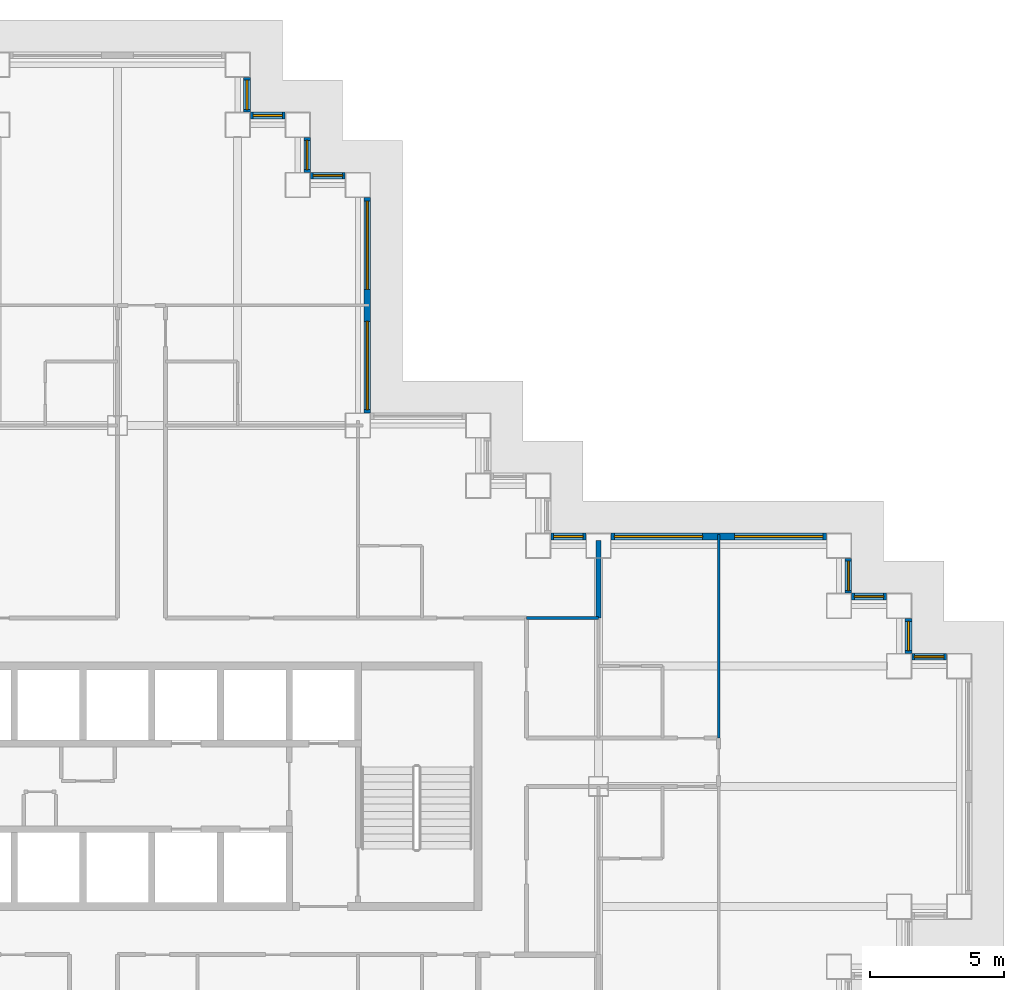
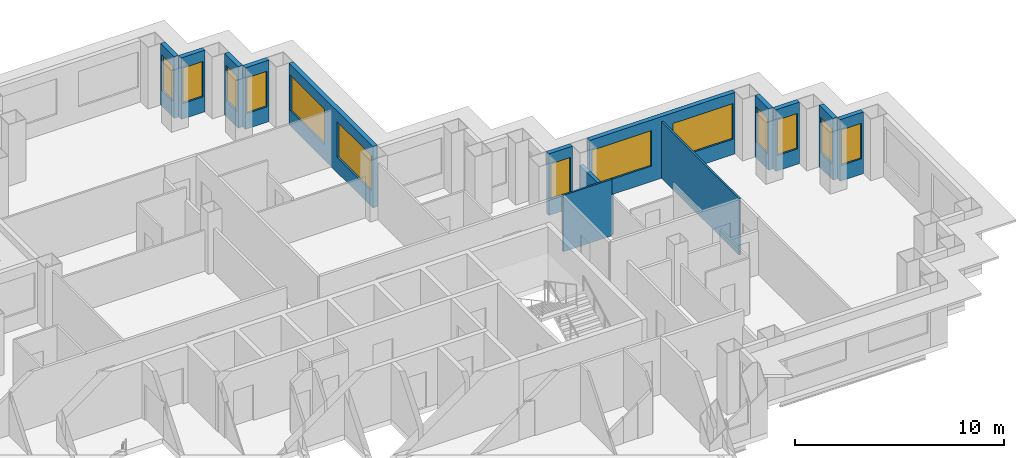
# One storey, part 9 of 14: 14 walls, 13 windows, 13 openings.
"""IFC4 building model written with IfcOpenShell, lengths in metres."""

from ifc_helpers import new_model, si_unit, direction, frame, frame_2d, origin, place, context, subcontext, project, spatial, rectangle, extrude, material, layer, layer_set, type_object, element, fill, save


model = new_model("IFC4")

# Units and contexts
model_context = context("Model", 3, precision=1e-05, world=origin(), true_north=direction((0.0, 1.0)))
body_context = subcontext(model_context, "Body", "Model", "MODEL_VIEW")
ifc_project = project(units=[si_unit("LENGTHUNIT", "METRE"), si_unit("AREAUNIT", "SQUARE_METRE"), si_unit("VOLUMEUNIT", "CUBIC_METRE"), si_unit("PLANEANGLEUNIT", "RADIAN"), si_unit("MASSUNIT", "GRAM", prefix="KILO")], contexts=[model_context])

# Site, building, storey
site_placement = place(None, origin())
site = spatial("IfcSite", under=ifc_project, at=site_placement, CompositionType="ELEMENT")
building_placement = place(site_placement, origin())
building = spatial("IfcBuilding", under=site, at=building_placement, Name="Caravel Reach Hotel and Residences", CompositionType="ELEMENT")
storey_placement = place(building_placement, frame((0.0, 0.0, 88.800048828125)))
storey = spatial("IfcBuildingStorey", under=building, at=storey_placement, Name="L21", CompositionType="ELEMENT", Elevation=88.800048828125)

# Wall, opening, window
ifc_material_1 = material(Name="Insulated rainscreen wall, aluminium cladding", Category="aluminium")
ifc_layer_1 = layer(ifc_material_1, 0.25)
ifc_layer_set_1 = layer_set([ifc_layer_1], Name="EW1 Tower rainscreen wall")
wall_type_1 = type_object("IfcWallType", Name="EW1 Tower rainscreen wall", PredefinedType="SOLIDWALL", material=ifc_layer_set_1)
wall_1_placement = place(storey_placement, frame((62.52490234375, 31.85009765625, 0.0), z_axis=(0.0, 0.0, 1.0), x_axis=(-1.0, 0.0, 0.0)))
wall_1 = element("IfcWall", 1, at=wall_1_placement, inside=storey, type_object=wall_type_1, Name="External wall L21 N21.1", PredefinedType="SOLIDWALL", context=body_context, shape_type="SweptSolid", body=[
    extrude(rectangle(XDim=1.2998046875, YDim=0.25, at=frame_2d((0.64990234375, 0.0))), origin(), (0.0, 0.0, 1.0), 3.599853515625),
])
opening_1_placement = place(wall_1_placement, frame((0.10009765625, 0.0, 0.89990234375)))
opening_1 = element("IfcOpeningElement", 2, at=opening_1_placement, cuts=wall_1, Name="Opening WN5", PredefinedType="OPENING", context=body_context, shape_type="SweptSolid", body=[
    extrude(rectangle(XDim=1.10009765625, YDim=2.080078125, at=frame_2d((0.550048828125, 1.0400390625))), frame((0.0, 0.135009765625, 0.0), z_axis=(0.0, -1.0, 0.0), x_axis=(1.0, 0.0, 0.0)), (0.0, 0.0, 1.0), 0.27001953125),
])
ifc_material_2 = material(Name="Dark low-e glazing in black aluminium frame", Category="aluminium")
window_type_1 = type_object("IfcWindowType", Name="Hotel suite corner window 1100 x 2080", PartitioningType="SINGLE_PANEL", PredefinedType="WINDOW", material=ifc_material_2)
window_1_placement = place(opening_1_placement, origin())
window_1 = element("IfcWindow", 3, at=window_1_placement, inside=storey, type_object=window_type_1, Name="Window L21 N21.1.1", OverallHeight=2.080078125, OverallWidth=1.10009765625, PartitioningType="SINGLE_PANEL", PredefinedType="WINDOW", context=body_context, shape_type="SweptSolid", body=[
    extrude(rectangle(XDim=1.10009765625, YDim=2.080078125, at=frame_2d((0.550048828125, 1.0400390625))), frame((0.0, 0.030029296875, 0.0), z_axis=(0.0, -1.0, 0.0), x_axis=(1.0, 0.0, 0.0)), (0.0, 0.0, 1.0), 0.06005859375),
])
fill(opening_1, window_1)

wall_2_placement = place(storey_placement, frame((61.10009765625, 31.97509765625, 0.0), z_axis=(0.0, 0.0, 1.0), x_axis=(0.0, 1.0, 0.0)))
wall_2 = element("IfcWall", 4, at=wall_2_placement, inside=storey, type_object=wall_type_1, Name="External wall L21 E22.1", PredefinedType="SOLIDWALL", context=body_context, shape_type="SweptSolid", body=[
    extrude(rectangle(XDim=1.2998046875, YDim=0.25, at=frame_2d((0.64990234375, 0.0))), origin(), (0.0, 0.0, 1.0), 3.599853515625),
])
opening_2_placement = place(wall_2_placement, frame((0.10009765625, 0.0, 0.89990234375)))
opening_2 = element("IfcOpeningElement", 5, at=opening_2_placement, cuts=wall_2, Name="Opening WN5", PredefinedType="OPENING", context=body_context, shape_type="SweptSolid", body=[
    extrude(rectangle(XDim=1.10009765625, YDim=2.080078125, at=frame_2d((0.550048828125, 1.0400390625))), frame((0.0, 0.135009765625, 0.0), z_axis=(0.0, -1.0, 0.0), x_axis=(1.0, 0.0, 0.0)), (0.0, 0.0, 1.0), 0.27001953125),
])
window_2_placement = place(opening_2_placement, origin())
window_2 = element("IfcWindow", 6, at=window_2_placement, inside=storey, type_object=window_type_1, Name="Window L21 E22.1.1", OverallHeight=2.080078125, OverallWidth=1.10009765625, PartitioningType="SINGLE_PANEL", PredefinedType="WINDOW", context=body_context, shape_type="SweptSolid", body=[
    extrude(rectangle(XDim=1.10009765625, YDim=2.080078125, at=frame_2d((0.550048828125, 1.0400390625))), frame((0.0, 0.030029296875, 0.0), z_axis=(0.0, -1.0, 0.0), x_axis=(1.0, 0.0, 0.0)), (0.0, 0.0, 1.0), 0.06005859375),
])
fill(opening_2, window_2)

wall_3_placement = place(storey_placement, frame((60.27490234375, 34.10009765625, 0.0), z_axis=(0.0, 0.0, 1.0), x_axis=(-1.0, 0.0, 0.0)))
wall_3 = element("IfcWall", 7, at=wall_3_placement, inside=storey, type_object=wall_type_1, Name="External wall L21 N23.1", PredefinedType="SOLIDWALL", context=body_context, shape_type="SweptSolid", body=[
    extrude(rectangle(XDim=1.2998046875, YDim=0.25, at=frame_2d((0.64990234375, 0.0))), origin(), (0.0, 0.0, 1.0), 3.599853515625),
])
opening_3_placement = place(wall_3_placement, frame((0.10009765625, 0.0, 0.89990234375)))
opening_3 = element("IfcOpeningElement", 8, at=opening_3_placement, cuts=wall_3, Name="Opening WN5", PredefinedType="OPENING", context=body_context, shape_type="SweptSolid", body=[
    extrude(rectangle(XDim=1.10009765625, YDim=2.080078125, at=frame_2d((0.550048828125, 1.0400390625))), frame((0.0, 0.135009765625, 0.0), z_axis=(0.0, -1.0, 0.0), x_axis=(1.0, 0.0, 0.0)), (0.0, 0.0, 1.0), 0.27001953125),
])
window_3_placement = place(opening_3_placement, origin())
window_3 = element("IfcWindow", 9, at=window_3_placement, inside=storey, type_object=window_type_1, Name="Window L21 N23.1.1", OverallHeight=2.080078125, OverallWidth=1.10009765625, PartitioningType="SINGLE_PANEL", PredefinedType="WINDOW", context=body_context, shape_type="SweptSolid", body=[
    extrude(rectangle(XDim=1.10009765625, YDim=2.080078125, at=frame_2d((0.550048828125, 1.0400390625))), frame((0.0, 0.030029296875, 0.0), z_axis=(0.0, -1.0, 0.0), x_axis=(1.0, 0.0, 0.0)), (0.0, 0.0, 1.0), 0.06005859375),
])
fill(opening_3, window_3)

wall_4_placement = place(storey_placement, frame((58.85009765625, 34.22509765625, 0.0), z_axis=(0.0, 0.0, 1.0), x_axis=(0.0, 1.0, 0.0)))
wall_4 = element("IfcWall", 10, at=wall_4_placement, inside=storey, type_object=wall_type_1, Name="External wall L21 E24.1", PredefinedType="SOLIDWALL", context=body_context, shape_type="SweptSolid", body=[
    extrude(rectangle(XDim=1.2998046875, YDim=0.25, at=frame_2d((0.64990234375, 0.0))), origin(), (0.0, 0.0, 1.0), 3.599853515625),
])
opening_4_placement = place(wall_4_placement, frame((0.10009765625, 0.0, 0.89990234375)))
opening_4 = element("IfcOpeningElement", 11, at=opening_4_placement, cuts=wall_4, Name="Opening WN5", PredefinedType="OPENING", context=body_context, shape_type="SweptSolid", body=[
    extrude(rectangle(XDim=1.10009765625, YDim=2.080078125, at=frame_2d((0.550048828125, 1.0400390625))), frame((0.0, 0.135009765625, 0.0), z_axis=(0.0, -1.0, 0.0), x_axis=(1.0, 0.0, 0.0)), (0.0, 0.0, 1.0), 0.27001953125),
])
window_4_placement = place(opening_4_placement, origin())
window_4 = element("IfcWindow", 12, at=window_4_placement, inside=storey, type_object=window_type_1, Name="Window L21 E24.1.1", OverallHeight=2.080078125, OverallWidth=1.10009765625, PartitioningType="SINGLE_PANEL", PredefinedType="WINDOW", context=body_context, shape_type="SweptSolid", body=[
    extrude(rectangle(XDim=1.10009765625, YDim=2.080078125, at=frame_2d((0.550048828125, 1.0400390625))), frame((0.0, 0.030029296875, 0.0), z_axis=(0.0, -1.0, 0.0), x_axis=(1.0, 0.0, 0.0)), (0.0, 0.0, 1.0), 0.06005859375),
])
fill(opening_4, window_4)

# Wall, openings, windows
wall_5_placement = place(storey_placement, frame((58.02490234375, 36.35009765625, 0.0), z_axis=(0.0, 0.0, 1.0), x_axis=(-1.0, 0.0, 0.0)))
wall_5 = element("IfcWall", 13, at=wall_5_placement, inside=storey, type_object=wall_type_1, Name="External wall L21 N25.1", PredefinedType="SOLIDWALL", context=body_context, shape_type="SweptSolid", body=[
    extrude(rectangle(XDim=8.0498046875, YDim=0.25, at=frame_2d((4.02490234375, 0.0))), origin(), (0.0, 0.0, 1.0), 3.599853515625),
])
opening_5_placement = place(wall_5_placement, frame((0.125, 0.0, 0.89990234375)))
opening_5 = element("IfcOpeningElement", 14, at=opening_5_placement, cuts=wall_5, Name="Opening WN4", PredefinedType="OPENING", context=body_context, shape_type="SweptSolid", body=[
    extrude(rectangle(XDim=3.300048828125, YDim=2.080078125, at=frame_2d((1.64990234375, 1.0400390625))), frame((0.0, 0.135009765625, 0.0), z_axis=(0.0, -1.0, 0.0), x_axis=(1.0, 0.0, 0.0)), (0.0, 0.0, 1.0), 0.27001953125),
])
opening_6_placement = place(wall_5_placement, frame((4.625, 0.0, 0.89990234375)))
opening_6 = element("IfcOpeningElement", 15, at=opening_6_placement, cuts=wall_5, Name="Opening WN4", PredefinedType="OPENING", context=body_context, shape_type="SweptSolid", body=[
    extrude(rectangle(XDim=3.300048828125, YDim=2.080078125, at=frame_2d((1.64990234375, 1.0400390625))), frame((0.0, 0.135009765625, 0.0), z_axis=(0.0, -1.0, 0.0), x_axis=(1.0, 0.0, 0.0)), (0.0, 0.0, 1.0), 0.27001953125),
])
ifc_material_3 = material(Name="Dark low-e glazing in black aluminium frame", Category="aluminium")
window_type_2 = type_object("IfcWindowType", Name="Hotel guest room window 3300 x 2080", PartitioningType="SINGLE_PANEL", PredefinedType="WINDOW", material=ifc_material_3)
window_5_placement = place(opening_5_placement, origin())
window_5 = element("IfcWindow", 16, at=window_5_placement, inside=storey, type_object=window_type_2, Name="Window L21 N25.1.1", OverallHeight=2.080078125, OverallWidth=3.300048828125, PartitioningType="SINGLE_PANEL", PredefinedType="WINDOW", context=body_context, shape_type="SweptSolid", body=[
    extrude(rectangle(XDim=3.300048828125, YDim=2.080078125, at=frame_2d((1.64990234375, 1.0400390625))), frame((0.0, 0.030029296875, 0.0), z_axis=(0.0, -1.0, 0.0), x_axis=(1.0, 0.0, 0.0)), (0.0, 0.0, 1.0), 0.06005859375),
])
fill(opening_5, window_5)
window_6_placement = place(opening_6_placement, origin())
window_6 = element("IfcWindow", 17, at=window_6_placement, inside=storey, type_object=window_type_2, Name="Window L21 N25.1.2", OverallHeight=2.080078125, OverallWidth=3.300048828125, PartitioningType="SINGLE_PANEL", PredefinedType="WINDOW", context=body_context, shape_type="SweptSolid", body=[
    extrude(rectangle(XDim=3.300048828125, YDim=2.080078125, at=frame_2d((1.64990234375, 1.0400390625))), frame((0.0, 0.030029296875, 0.0), z_axis=(0.0, -1.0, 0.0), x_axis=(1.0, 0.0, 0.0)), (0.0, 0.0, 1.0), 0.06005859375),
])
fill(opening_6, window_6)

# Wall, opening, window
wall_6_placement = place(storey_placement, frame((49.02490234375, 36.35009765625, 0.0), z_axis=(0.0, 0.0, 1.0), x_axis=(-1.0, 0.0, 0.0)))
wall_6 = element("IfcWall", 18, at=wall_6_placement, inside=storey, type_object=wall_type_1, Name="External wall L21 N25.2", PredefinedType="SOLIDWALL", context=body_context, shape_type="SweptSolid", body=[
    extrude(rectangle(XDim=1.2998046875, YDim=0.25, at=frame_2d((0.64990234375, 0.0))), origin(), (0.0, 0.0, 1.0), 3.599853515625),
])
opening_7_placement = place(wall_6_placement, frame((0.10009765625, 0.0, 0.89990234375)))
opening_7 = element("IfcOpeningElement", 19, at=opening_7_placement, cuts=wall_6, Name="Opening WN5", PredefinedType="OPENING", context=body_context, shape_type="SweptSolid", body=[
    extrude(rectangle(XDim=1.10009765625, YDim=2.080078125, at=frame_2d((0.550048828125, 1.0400390625))), frame((0.0, 0.135009765625, 0.0), z_axis=(0.0, -1.0, 0.0), x_axis=(1.0, 0.0, 0.0)), (0.0, 0.0, 1.0), 0.27001953125),
])
window_7_placement = place(opening_7_placement, origin())
window_7 = element("IfcWindow", 20, at=window_7_placement, inside=storey, type_object=window_type_1, Name="Window L21 N25.2.1", OverallHeight=2.080078125, OverallWidth=1.10009765625, PartitioningType="SINGLE_PANEL", PredefinedType="WINDOW", context=body_context, shape_type="SweptSolid", body=[
    extrude(rectangle(XDim=1.10009765625, YDim=2.080078125, at=frame_2d((0.550048828125, 1.0400390625))), frame((0.0, 0.030029296875, 0.0), z_axis=(0.0, -1.0, 0.0), x_axis=(1.0, 0.0, 0.0)), (0.0, 0.0, 1.0), 0.06005859375),
])
fill(opening_7, window_7)

# Wall, openings, windows
wall_7_placement = place(storey_placement, frame((40.85009765625, 40.97509765625, 0.0), z_axis=(0.0, 0.0, 1.0), x_axis=(0.0, 1.0, 0.0)))
wall_7 = element("IfcWall", 21, at=wall_7_placement, inside=storey, type_object=wall_type_1, Name="External wall L21 E30.1", PredefinedType="SOLIDWALL", context=body_context, shape_type="SweptSolid", body=[
    extrude(rectangle(XDim=8.0498046875, YDim=0.25, at=frame_2d((4.02490234375, 0.0))), origin(), (0.0, 0.0, 1.0), 3.599853515625),
])
opening_8_placement = place(wall_7_placement, frame((0.125, 0.0, 0.89990234375)))
opening_8 = element("IfcOpeningElement", 22, at=opening_8_placement, cuts=wall_7, Name="Opening WN4", PredefinedType="OPENING", context=body_context, shape_type="SweptSolid", body=[
    extrude(rectangle(XDim=3.300048828125, YDim=2.080078125, at=frame_2d((1.64990234375, 1.0400390625))), frame((0.0, 0.135009765625, 0.0), z_axis=(0.0, -1.0, 0.0), x_axis=(1.0, 0.0, 0.0)), (0.0, 0.0, 1.0), 0.27001953125),
])
opening_9_placement = place(wall_7_placement, frame((4.625, 0.0, 0.89990234375)))
opening_9 = element("IfcOpeningElement", 23, at=opening_9_placement, cuts=wall_7, Name="Opening WN4", PredefinedType="OPENING", context=body_context, shape_type="SweptSolid", body=[
    extrude(rectangle(XDim=3.300048828125, YDim=2.080078125, at=frame_2d((1.64990234375, 1.0400390625))), frame((0.0, 0.135009765625, 0.0), z_axis=(0.0, -1.0, 0.0), x_axis=(1.0, 0.0, 0.0)), (0.0, 0.0, 1.0), 0.27001953125),
])
window_8_placement = place(opening_8_placement, origin())
window_8 = element("IfcWindow", 24, at=window_8_placement, inside=storey, type_object=window_type_2, Name="Window L21 E30.1.1", OverallHeight=2.080078125, OverallWidth=3.300048828125, PartitioningType="SINGLE_PANEL", PredefinedType="WINDOW", context=body_context, shape_type="SweptSolid", body=[
    extrude(rectangle(XDim=3.300048828125, YDim=2.080078125, at=frame_2d((1.64990234375, 1.0400390625))), frame((0.0, 0.030029296875, 0.0), z_axis=(0.0, -1.0, 0.0), x_axis=(1.0, 0.0, 0.0)), (0.0, 0.0, 1.0), 0.06005859375),
])
fill(opening_8, window_8)
window_9_placement = place(opening_9_placement, origin())
window_9 = element("IfcWindow", 25, at=window_9_placement, inside=storey, type_object=window_type_2, Name="Window L21 E30.1.2", OverallHeight=2.080078125, OverallWidth=3.300048828125, PartitioningType="SINGLE_PANEL", PredefinedType="WINDOW", context=body_context, shape_type="SweptSolid", body=[
    extrude(rectangle(XDim=3.300048828125, YDim=2.080078125, at=frame_2d((1.64990234375, 1.0400390625))), frame((0.0, 0.030029296875, 0.0), z_axis=(0.0, -1.0, 0.0), x_axis=(1.0, 0.0, 0.0)), (0.0, 0.0, 1.0), 0.06005859375),
])
fill(opening_9, window_9)

# Wall, opening, window
wall_8_placement = place(storey_placement, frame((40.02490234375, 49.85009765625, 0.0), z_axis=(0.0, 0.0, 1.0), x_axis=(-1.0, 0.0, 0.0)))
wall_8 = element("IfcWall", 26, at=wall_8_placement, inside=storey, type_object=wall_type_1, Name="External wall L21 N31.1", PredefinedType="SOLIDWALL", context=body_context, shape_type="SweptSolid", body=[
    extrude(rectangle(XDim=1.2998046875, YDim=0.25, at=frame_2d((0.64990234375, 0.0))), origin(), (0.0, 0.0, 1.0), 3.599853515625),
])
opening_10_placement = place(wall_8_placement, frame((0.10009765625, 0.0, 0.89990234375)))
opening_10 = element("IfcOpeningElement", 27, at=opening_10_placement, cuts=wall_8, Name="Opening WN5", PredefinedType="OPENING", context=body_context, shape_type="SweptSolid", body=[
    extrude(rectangle(XDim=1.10009765625, YDim=2.080078125, at=frame_2d((0.550048828125, 1.0400390625))), frame((0.0, 0.135009765625, 0.0), z_axis=(0.0, -1.0, 0.0), x_axis=(1.0, 0.0, 0.0)), (0.0, 0.0, 1.0), 0.27001953125),
])
window_10_placement = place(opening_10_placement, origin())
window_10 = element("IfcWindow", 28, at=window_10_placement, inside=storey, type_object=window_type_1, Name="Window L21 N31.1.1", OverallHeight=2.080078125, OverallWidth=1.10009765625, PartitioningType="SINGLE_PANEL", PredefinedType="WINDOW", context=body_context, shape_type="SweptSolid", body=[
    extrude(rectangle(XDim=1.10009765625, YDim=2.080078125, at=frame_2d((0.550048828125, 1.0400390625))), frame((0.0, 0.030029296875, 0.0), z_axis=(0.0, -1.0, 0.0), x_axis=(1.0, 0.0, 0.0)), (0.0, 0.0, 1.0), 0.06005859375),
])
fill(opening_10, window_10)

wall_9_placement = place(storey_placement, frame((38.60009765625, 49.97509765625, 0.0), z_axis=(0.0, 0.0, 1.0), x_axis=(0.0, 1.0, 0.0)))
wall_9 = element("IfcWall", 29, at=wall_9_placement, inside=storey, type_object=wall_type_1, Name="External wall L21 E32.1", PredefinedType="SOLIDWALL", context=body_context, shape_type="SweptSolid", body=[
    extrude(rectangle(XDim=1.2998046875, YDim=0.25, at=frame_2d((0.64990234375, 0.0))), origin(), (0.0, 0.0, 1.0), 3.599853515625),
])
opening_11_placement = place(wall_9_placement, frame((0.10009765625, 0.0, 0.89990234375)))
opening_11 = element("IfcOpeningElement", 30, at=opening_11_placement, cuts=wall_9, Name="Opening WN5", PredefinedType="OPENING", context=body_context, shape_type="SweptSolid", body=[
    extrude(rectangle(XDim=1.10009765625, YDim=2.080078125, at=frame_2d((0.550048828125, 1.0400390625))), frame((0.0, 0.135009765625, 0.0), z_axis=(0.0, -1.0, 0.0), x_axis=(1.0, 0.0, 0.0)), (0.0, 0.0, 1.0), 0.27001953125),
])
window_11_placement = place(opening_11_placement, origin())
window_11 = element("IfcWindow", 31, at=window_11_placement, inside=storey, type_object=window_type_1, Name="Window L21 E32.1.1", OverallHeight=2.080078125, OverallWidth=1.10009765625, PartitioningType="SINGLE_PANEL", PredefinedType="WINDOW", context=body_context, shape_type="SweptSolid", body=[
    extrude(rectangle(XDim=1.10009765625, YDim=2.080078125, at=frame_2d((0.550048828125, 1.0400390625))), frame((0.0, 0.030029296875, 0.0), z_axis=(0.0, -1.0, 0.0), x_axis=(1.0, 0.0, 0.0)), (0.0, 0.0, 1.0), 0.06005859375),
])
fill(opening_11, window_11)

wall_10_placement = place(storey_placement, frame((37.77490234375, 52.10009765625, 0.0), z_axis=(0.0, 0.0, 1.0), x_axis=(-1.0, 0.0, 0.0)))
wall_10 = element("IfcWall", 32, at=wall_10_placement, inside=storey, type_object=wall_type_1, Name="External wall L21 N33.1", PredefinedType="SOLIDWALL", context=body_context, shape_type="SweptSolid", body=[
    extrude(rectangle(XDim=1.2998046875, YDim=0.25, at=frame_2d((0.64990234375, 0.0))), origin(), (0.0, 0.0, 1.0), 3.599853515625),
])
opening_12_placement = place(wall_10_placement, frame((0.10009765625, 0.0, 0.89990234375)))
opening_12 = element("IfcOpeningElement", 33, at=opening_12_placement, cuts=wall_10, Name="Opening WN5", PredefinedType="OPENING", context=body_context, shape_type="SweptSolid", body=[
    extrude(rectangle(XDim=1.10009765625, YDim=2.080078125, at=frame_2d((0.550048828125, 1.0400390625))), frame((0.0, 0.135009765625, 0.0), z_axis=(0.0, -1.0, 0.0), x_axis=(1.0, 0.0, 0.0)), (0.0, 0.0, 1.0), 0.27001953125),
])
window_12_placement = place(opening_12_placement, origin())
window_12 = element("IfcWindow", 34, at=window_12_placement, inside=storey, type_object=window_type_1, Name="Window L21 N33.1.1", OverallHeight=2.080078125, OverallWidth=1.10009765625, PartitioningType="SINGLE_PANEL", PredefinedType="WINDOW", context=body_context, shape_type="SweptSolid", body=[
    extrude(rectangle(XDim=1.10009765625, YDim=2.080078125, at=frame_2d((0.550048828125, 1.0400390625))), frame((0.0, 0.030029296875, 0.0), z_axis=(0.0, -1.0, 0.0), x_axis=(1.0, 0.0, 0.0)), (0.0, 0.0, 1.0), 0.06005859375),
])
fill(opening_12, window_12)

wall_11_placement = place(storey_placement, frame((36.35009765625, 52.22509765625, 0.0), z_axis=(0.0, 0.0, 1.0), x_axis=(0.0, 1.0, 0.0)))
wall_11 = element("IfcWall", 35, at=wall_11_placement, inside=storey, type_object=wall_type_1, Name="External wall L21 E34.1", PredefinedType="SOLIDWALL", context=body_context, shape_type="SweptSolid", body=[
    extrude(rectangle(XDim=1.2998046875, YDim=0.25, at=frame_2d((0.64990234375, 0.0))), origin(), (0.0, 0.0, 1.0), 3.599853515625),
])
opening_13_placement = place(wall_11_placement, frame((0.10009765625, 0.0, 0.89990234375)))
opening_13 = element("IfcOpeningElement", 36, at=opening_13_placement, cuts=wall_11, Name="Opening WN5", PredefinedType="OPENING", context=body_context, shape_type="SweptSolid", body=[
    extrude(rectangle(XDim=1.10009765625, YDim=2.080078125, at=frame_2d((0.550048828125, 1.0400390625))), frame((0.0, 0.135009765625, 0.0), z_axis=(0.0, -1.0, 0.0), x_axis=(1.0, 0.0, 0.0)), (0.0, 0.0, 1.0), 0.27001953125),
])
window_13_placement = place(opening_13_placement, origin())
window_13 = element("IfcWindow", 37, at=window_13_placement, inside=storey, type_object=window_type_1, Name="Window L21 E34.1.1", OverallHeight=2.080078125, OverallWidth=1.10009765625, PartitioningType="SINGLE_PANEL", PredefinedType="WINDOW", context=body_context, shape_type="SweptSolid", body=[
    extrude(rectangle(XDim=1.10009765625, YDim=2.080078125, at=frame_2d((0.550048828125, 1.0400390625))), frame((0.0, 0.030029296875, 0.0), z_axis=(0.0, -1.0, 0.0), x_axis=(1.0, 0.0, 0.0)), (0.0, 0.0, 1.0), 0.06005859375),
])
fill(opening_13, window_13)

# Walls
ifc_material_4 = material(Name="Gypsum board on steel stud", Category="steel")
ifc_layer_2 = layer(ifc_material_4, 0.10009765625)
ifc_layer_set_2 = layer_set([ifc_layer_2], Name="Partition 100 mm")
wall_type_2 = type_object("IfcWallType", Name="Partition 100 mm", PredefinedType="PARTITIONING", material=ifc_layer_set_2)
wall_12_placement = place(storey_placement, frame((46.800048828125, 33.300048828125, 0.0), z_axis=(0.0, 0.0, 1.0), x_axis=(1.0, 0.0, 0.0)))
element("IfcWall", 38, at=wall_12_placement, inside=storey, type_object=wall_type_2, Name="L21 wall w044", PredefinedType="PARTITIONING", context=body_context, shape_type="SweptSolid", body=[
    extrude(rectangle(XDim=2.699951171875, YDim=0.10009765625, at=frame_2d((1.35009765625, 0.0))), origin(), (0.0, 0.0, 1.0), 3.300048828125),
])
wall_13_placement = place(storey_placement, frame((54.0, 28.800048828125, 0.0), z_axis=(0.0, 0.0, 1.0), x_axis=(0.0, 1.0, 0.0)))
element("IfcWall", 39, at=wall_13_placement, inside=storey, type_object=wall_type_2, Name="L21 wall w065", PredefinedType="PARTITIONING", context=body_context, shape_type="SweptSolid", body=[
    extrude(rectangle(XDim=7.614990234375, YDim=0.10009765625, at=frame_2d((3.8076171875, 0.0))), origin(), (0.0, 0.0, 1.0), 3.300048828125),
])
ifc_material_5 = material(Name="Autoclaved aerated block wall")
ifc_layer_3 = layer(ifc_material_5, 0.199951171875)
ifc_layer_set_3 = layer_set([ifc_layer_3], Name="Party wall 200 mm EI 60")
wall_type_3 = type_object("IfcWallType", Name="Party wall 200 mm EI 60", PredefinedType="PARTITIONING", material=ifc_layer_set_3)
wall_14_placement = place(storey_placement, frame((49.5, 33.300048828125, 0.0), z_axis=(0.0, 0.0, 1.0), x_axis=(0.0, 1.0, 0.0)))
element("IfcWall", 40, at=wall_14_placement, inside=storey, type_object=wall_type_3, Name="L21 wall w070", PredefinedType="PARTITIONING", context=body_context, shape_type="SweptSolid", body=[
    extrude(rectangle(XDim=2.889892578125, YDim=0.199951171875, at=frame_2d((1.44482421875, 0.0))), origin(), (0.0, 0.0, 1.0), 2.3798828125),
])

save(model, "model.ifc")
